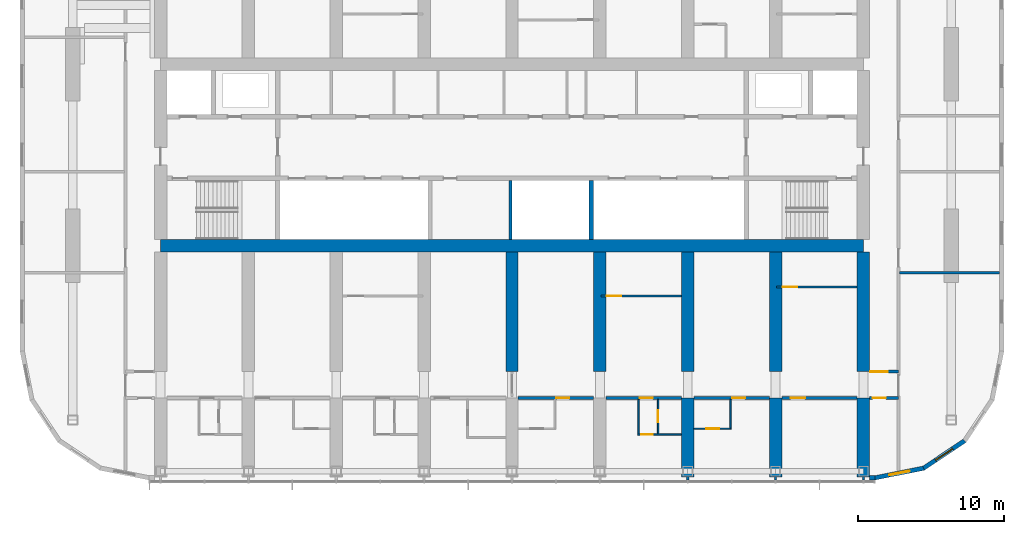
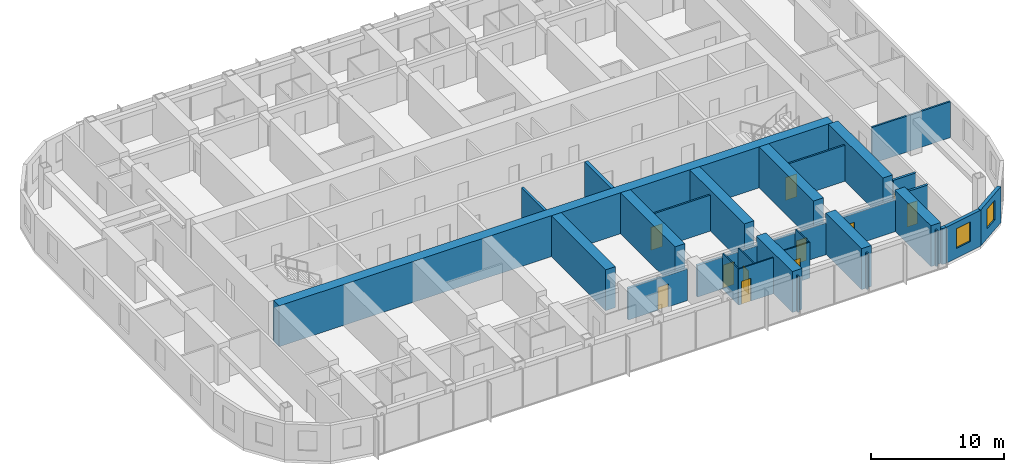
# One storey, part 12 of 22: 31 walls, 11 doors, 2 windows, 13 openings.
"""IFC4 building model written with IfcOpenShell, lengths in metres."""

import ifcopenshell
import ifcopenshell.guid

model = None  # the IFC model being written
_history = None  # IfcOwnerHistory: only IFC2X3 demands one
_inside = {}  # id of a spatial element -> (the spatial element, [elements in it])
_under = {}  # id of a project, library or spatial element -> (it, [spatial elements below it])
_declared = {}  # id of a project -> (the project, [libraries it declares])
_typed = {}  # id of a type object -> (the type object, [elements of that type])
_made_of = {}  # id of a material, layer set ... -> (it, [elements and type objects made of it])


def new_model(schema):
    """Start an empty IFC model of exactly this schema.

    Asked for "IFC4X3", IfcOpenShell would pick the latest addendum, in which some entities
    have other attributes; the version numbers below select the first issue.
    IFC2X3 requires an IfcOwnerHistory on every rooted entity: one is made here for all.
    """
    global model, _history
    if schema == "IFC4X3":
        model = ifcopenshell.file(schema_version=(4, 3, 0, 0))
    else:
        model = ifcopenshell.file(schema=schema)
    _inside.clear()
    _under.clear()
    _declared.clear()
    _typed.clear()
    _made_of.clear()
    _history = None
    if model.schema == "IFC2X3":
        org = make("IfcOrganization", Name="unknown")
        user = make(
            "IfcPersonAndOrganization",
            ThePerson=make("IfcPerson", FamilyName="unknown"),
            TheOrganization=org,
        )
        app = make(
            "IfcApplication",
            ApplicationDeveloper=org,
            Version="unknown",
            ApplicationFullName="unknown",
            ApplicationIdentifier="unknown",
        )
        _history = make(
            "IfcOwnerHistory",
            OwningUser=user,
            OwningApplication=app,
            ChangeAction="ADDED",
            CreationDate=0,
        )
    return model


def make(cls, **values):
    """One entity of the class cls with the attributes given. An attribute that is None is left unset."""
    return model.create_entity(
        cls, **{name: value for name, value in values.items() if value is not None}
    )


def rooted(cls, **values):
    """An entity with a GlobalId (a new one), such as an element, a storey or a relation."""
    return make(cls, GlobalId=ifcopenshell.guid.new(), OwnerHistory=_history, **values)


def si_unit(unit_type, name, prefix=None):
    """IfcSIUnit, for example si_unit("LENGTHUNIT", "METRE", prefix="MILLI")."""
    return make("IfcSIUnit", UnitType=unit_type, Prefix=prefix, Name=name)


def assignment(units):
    """IfcUnitAssignment: the units of a project."""
    return None if units is None else make("IfcUnitAssignment", Units=units)


def point(xyz):
    """IfcCartesianPoint."""
    return None if xyz is None else make("IfcCartesianPoint", Coordinates=xyz)


def direction(xyz):
    """IfcDirection."""
    return None if xyz is None else make("IfcDirection", DirectionRatios=xyz)


def frame(location, z_axis=None, x_axis=None):
    """IfcAxis2Placement3D, a coordinate frame: its origin and axes. An axis left out is left unset."""
    return make(
        "IfcAxis2Placement3D",
        Location=point(location),
        Axis=direction(z_axis),
        RefDirection=direction(x_axis),
    )


def frame_2d(location, x_axis=None):
    """IfcAxis2Placement2D, a coordinate frame in the plane: its origin and x axis."""
    return make(
        "IfcAxis2Placement2D", Location=point(location), RefDirection=direction(x_axis)
    )


def origin():
    """The frame at (0, 0, 0) with its axes left unset."""
    return frame((0.0, 0.0, 0.0))


def place(relative_to, where):
    """IfcLocalPlacement: puts the frame where relative to a parent placement (None: the world)."""
    return make(
        "IfcLocalPlacement", PlacementRelTo=relative_to, RelativePlacement=where
    )


def context(
    kind, dimensions, precision=None, world=None, true_north=None, identifier=None
):
    """IfcGeometricRepresentationContext, for example the 3D "Model" context."""
    return make(
        "IfcGeometricRepresentationContext",
        ContextIdentifier=identifier,
        ContextType=kind,
        CoordinateSpaceDimension=dimensions,
        Precision=precision,
        WorldCoordinateSystem=world,
        TrueNorth=true_north,
    )


def subcontext(parent, identifier, kind, view, scale=None):
    """IfcGeometricRepresentationSubContext, for example "Body" below "Model"."""
    return make(
        "IfcGeometricRepresentationSubContext",
        ContextIdentifier=identifier,
        ContextType=kind,
        ParentContext=parent,
        TargetScale=scale,
        TargetView=view,
    )


def project(units=None, contexts=None):
    """IfcProject with its units and contexts."""
    return rooted(
        "IfcProject",
        Name="project",
        RepresentationContexts=contexts,
        UnitsInContext=assignment(units),
    )


def spatial(cls, under=None, at=None, **own):
    """A site, building, storey or space (cls), placed at a placement, below another one or the project."""
    s = rooted(cls, ObjectPlacement=at, **own)
    if under is not None:
        _under.setdefault(under.id(), (under, []))[1].append(s)
    return s


def polyline(points):
    """IfcPolyline through the points."""
    return make("IfcPolyline", Points=[point(p) for p in points])


def profile(cls, at=None, kind="AREA", **sizes):
    """A parametric profile (cls). Its sizes go by their IFC names, for example OverallWidth=200.0."""
    return make(cls, ProfileType=kind, Position=at, **sizes)


def rectangle(**sizes):
    """IfcRectangleProfileDef."""
    return profile("IfcRectangleProfileDef", **sizes)


def outline(outer, holes=None, kind="AREA"):
    """IfcArbitraryClosedProfileDef: a profile drawn as a closed curve; with holes, ...WithVoids."""
    if holes is None:
        return make("IfcArbitraryClosedProfileDef", ProfileType=kind, OuterCurve=outer)
    return make(
        "IfcArbitraryProfileDefWithVoids",
        ProfileType=kind,
        OuterCurve=outer,
        InnerCurves=holes,
    )


def extrude(swept, where, along, depth):
    """IfcExtrudedAreaSolid: the profile swept, set in the frame where, extruded along a direction by depth."""
    return make(
        "IfcExtrudedAreaSolid",
        SweptArea=swept,
        Position=where,
        ExtrudedDirection=direction(along),
        Depth=depth,
    )


def shape(context_of_items, identifier, shape_type, items):
    """IfcShapeRepresentation: the items that make up one representation, for example the "Body"."""
    return make(
        "IfcShapeRepresentation",
        ContextOfItems=context_of_items,
        RepresentationIdentifier=identifier,
        RepresentationType=shape_type,
        Items=items,
    )


def material(Name=None, Category=None):
    """IfcMaterial."""
    return make("IfcMaterial", Name=Name, Category=Category)


def layer(
    of_material, thickness, ventilated=None, Name=None, Category=None, Priority=None
):
    """IfcMaterialLayer: one layer of a wall or slab, of a material (None: an air gap)."""
    return make(
        "IfcMaterialLayer",
        Material=of_material,
        LayerThickness=thickness,
        IsVentilated=ventilated,
        Name=Name,
        Category=Category,
        Priority=Priority,
    )


def layer_set(layers, Name=None):
    """IfcMaterialLayerSet."""
    return make("IfcMaterialLayerSet", MaterialLayers=layers, LayerSetName=Name)


def made_of(thing, what):
    """Note that an element or type object is made of a material, layer set ...; save() writes the relation."""
    if what is not None:
        _made_of.setdefault(what.id(), (what, []))[1].append(thing)
    return thing


def type_object(cls, material=None, **own):
    """A type object (cls), such as IfcWallType, which elements share."""
    return made_of(rooted(cls, **own), material)


def element(
    cls,
    number,
    at=None,
    inside=None,
    cuts=None,
    type_object=None,
    material=None,
    context=None,
    identifier="Body",
    shape_type=None,
    held_by="IfcProductDefinitionShape",
    body=None,
    shapes=None,
    **own,
):
    """One element of the class cls, such as IfcWall. Its Tag is "e" and its number.

    at: its placement. inside: the storey or other place that contains it. cuts: it is an
    opening in that element (IfcRelVoidsElement). A single representation is given by context,
    identifier, shape_type and body (its items); several are given by shapes. held_by: the class
    of the entity that holds the representations. save() writes the other relations.
    """
    e = rooted(cls, Tag="e%d" % number, ObjectPlacement=at, **own)
    if body is not None:
        shapes = [shape(context, identifier, shape_type, body)]
    if shapes is not None:
        e.Representation = make(held_by, Representations=shapes)
    if inside is not None:
        _inside.setdefault(inside.id(), (inside, []))[1].append(e)
    if cuts is not None:
        rooted(
            "IfcRelVoidsElement", RelatingBuildingElement=cuts, RelatedOpeningElement=e
        )
    if type_object is not None:
        _typed.setdefault(type_object.id(), (type_object, []))[1].append(e)
    return made_of(e, material)


def fill(opening, filler):
    """IfcRelFillsElement: the door or window that sits in an opening."""
    return rooted(
        "IfcRelFillsElement",
        RelatingOpeningElement=opening,
        RelatedBuildingElement=filler,
    )


def aggregate(whole, parts):
    """IfcRelAggregates: a whole, such as a stair, and the parts it consists of."""
    return rooted("IfcRelAggregates", RelatingObject=whole, RelatedObjects=parts)


def save(model, path):
    """Write the relations noted so far, then the file.

    IfcRelAggregates (storeys below a building ...), IfcRelContainedInSpatialStructure (elements
    in a storey), IfcRelDefinesByType, IfcRelAssociatesMaterial and IfcRelDeclares: one each for
    every whole, place, type object, material and project.
    """
    for whole, parts in _under.values():
        aggregate(whole, parts)
    for where, things in _inside.values():
        rooted(
            "IfcRelContainedInSpatialStructure",
            RelatedElements=things,
            RelatingStructure=where,
        )
    for kind, things in _typed.values():
        rooted("IfcRelDefinesByType", RelatedObjects=things, RelatingType=kind)
    for what, things in _made_of.values():
        rooted("IfcRelAssociatesMaterial", RelatedObjects=things, RelatingMaterial=what)
    for by, libraries in _declared.values():
        rooted("IfcRelDeclares", RelatingContext=by, RelatedDefinitions=libraries)
    model.write(path)


model = new_model("IFC4")

# Units and contexts
model_context = context("Model", 3, precision=1e-05, world=origin(), true_north=direction((0.0, 1.0)))
body_context = subcontext(model_context, "Body", "Model", "MODEL_VIEW")
ifc_project = project(units=[si_unit("LENGTHUNIT", "METRE"), si_unit("AREAUNIT", "SQUARE_METRE"), si_unit("VOLUMEUNIT", "CUBIC_METRE"), si_unit("PLANEANGLEUNIT", "RADIAN"), si_unit("MASSUNIT", "GRAM", prefix="KILO")], contexts=[model_context])

# Site, building, storey
site_placement = place(None, origin())
site = spatial("IfcSite", under=ifc_project, at=site_placement, CompositionType="ELEMENT")
building_placement = place(site_placement, origin())
building = spatial("IfcBuilding", under=site, at=building_placement, Name="Orbita Commons", CompositionType="ELEMENT")
storey_placement = place(building_placement, frame((0.0, 0.0, 159.85009765625)))
storey = spatial("IfcBuildingStorey", under=building, at=storey_placement, Name="L39", CompositionType="ELEMENT", Elevation=159.85009765625)

# Walls
ifc_material_1 = material(Name="Concrete C50/60", Category="concrete")
ifc_layer_1 = layer(ifc_material_1, 0.300048828125)
ifc_layer_set_1 = layer_set([ifc_layer_1], Name="Concrete C50/60")
wall_type_1 = type_object("IfcWallType", Name="Core inner wall 300 C50/60", PredefinedType="SHEAR", material=ifc_layer_set_1)
wall_1_placement = place(storey_placement, frame((47.39990234375, 26.22509765625, 0.0), z_axis=(0.0, 0.0, 1.0), x_axis=(0.0, 1.0, 0.0)))
element("IfcWall", 1, at=wall_1_placement, inside=storey, type_object=wall_type_1, Name="Hoistway division wall L39", PredefinedType="SHEAR", context=body_context, shape_type="SweptSolid", body=[
    extrude(rectangle(XDim=4.02490234375, YDim=0.300048828125, at=frame_2d((2.012451171875, 0.0))), origin(), (0.0, 0.0, 1.0), 3.75),
])
ifc_material_2 = material(Name="Concrete C50/60", Category="concrete")
ifc_layer_2 = layer(ifc_material_2, 0.85009765625)
ifc_layer_set_2 = layer_set([ifc_layer_2], Name="Concrete C50/60")
wall_type_2 = type_object("IfcWallType", Name="Core wall 850 C50/60", PredefinedType="SHEAR", material=ifc_layer_set_2)
wall_2_placement = place(storey_placement, frame((18.0, 25.800048828125, 0.0), z_axis=(0.0, 0.0, 1.0), x_axis=(1.0, 0.0, 0.0)))
element("IfcWall", 2, at=wall_2_placement, inside=storey, type_object=wall_type_2, Name="Core spine wall south L39", PredefinedType="SHEAR", context=body_context, shape_type="SweptSolid", body=[
    extrude(rectangle(XDim=48.0, YDim=0.85009765625, at=frame_2d((24.0, 0.0))), origin(), (0.0, 0.0, 1.0), 3.75),
])

# Wall, opening, door
ifc_material_3 = material(Name="Concrete blockwork", Category="masonry")
ifc_layer_3 = layer(ifc_material_3, 0.199951171875)
ifc_layer_set_3 = layer_set([ifc_layer_3], Name="Concrete blockwork")
wall_type_3 = type_object("IfcWallType", Name="Corridor wall 200 blockwork", PredefinedType="SOLIDWALL", material=ifc_layer_set_3)
wall_3_placement = place(storey_placement, frame((42.425048828125, 15.39990234375, 0.0), z_axis=(0.0, 0.0, 1.0), x_axis=(1.0, 0.0, 0.0)))
wall_3 = element("IfcWall", 3, at=wall_3_placement, inside=storey, type_object=wall_type_3, Name="Corridor wall 200 blockwork L39", PredefinedType="SOLIDWALL", context=body_context, shape_type="SweptSolid", body=[
    extrude(outline(polyline([(0.0, 0.0), (5.14990234375, 0.0), (5.14990234375, 2.89990234375), (0.0, 2.89990234375), (0.0, 0.0)])), frame((0.0, 0.10009765625, 0.0), z_axis=(0.0, -1.0, 0.0), x_axis=(1.0, 0.0, 0.0)), (0.0, 0.0, 1.0), 0.199951171875),
])
opening_1_placement = place(wall_3_placement, frame((2.60009765625, 0.0, 0.0)))
opening_1 = element("IfcOpeningElement", 4, at=opening_1_placement, cuts=wall_3, Name="Opening D11", PredefinedType="OPENING", context=body_context, shape_type="SweptSolid", body=[
    extrude(rectangle(XDim=0.89990234375, YDim=2.10009765625, at=frame_2d((0.449951171875, 1.050048828125))), frame((0.0, 0.10986328125, 0.0), z_axis=(0.0, -1.0, 0.0), x_axis=(1.0, 0.0, 0.0)), (0.0, 0.0, 1.0), 0.219970703125),
])
ifc_material_4 = material(Name="Steel-faced fire door leaf", Category="steel")
door_type_1 = type_object("IfcDoorType", Name="Corridor door 20 min 900x2100", OperationType="SINGLE_SWING_LEFT", PredefinedType="DOOR", material=ifc_material_4)
door_1_placement = place(opening_1_placement, origin())
door_1 = element("IfcDoor", 5, at=door_1_placement, inside=storey, type_object=door_type_1, Name="Twin room L39-S08 door", OperationType="SINGLE_SWING_LEFT", OverallHeight=2.10009765625, OverallWidth=0.89990234375, PredefinedType="DOOR", context=body_context, shape_type="SweptSolid", body=[
    extrude(rectangle(XDim=0.89990234375, YDim=2.10009765625, at=frame_2d((0.449951171875, 1.050048828125))), frame((0.0, 0.02490234375, 0.0), z_axis=(0.0, -1.0, 0.0), x_axis=(1.0, 0.0, 0.0)), (0.0, 0.0, 1.0), 0.050048828125),
])
fill(opening_1, door_1)

wall_4_placement = place(storey_placement, frame((48.425048828125, 15.39990234375, 0.0), z_axis=(0.0, 0.0, 1.0), x_axis=(1.0, 0.0, 0.0)))
wall_4 = element("IfcWall", 6, at=wall_4_placement, inside=storey, type_object=wall_type_3, Name="Corridor wall 200 blockwork L39", PredefinedType="SOLIDWALL", context=body_context, shape_type="SweptSolid", body=[
    extrude(outline(polyline([(0.0, 0.0), (5.14990234375, 0.0), (5.14990234375, 2.89990234375), (0.0, 2.89990234375), (0.0, 0.0)])), frame((0.0, 0.10009765625, 0.0), z_axis=(0.0, -1.0, 0.0), x_axis=(1.0, 0.0, 0.0)), (0.0, 0.0, 1.0), 0.199951171875),
])
opening_2_placement = place(wall_4_placement, frame((2.300048828125, 0.0, 0.0)))
opening_2 = element("IfcOpeningElement", 7, at=opening_2_placement, cuts=wall_4, Name="Opening D11", PredefinedType="OPENING", context=body_context, shape_type="SweptSolid", body=[
    extrude(rectangle(XDim=0.89990234375, YDim=2.10009765625, at=frame_2d((0.449951171875, 1.050048828125))), frame((0.0, 0.10986328125, 0.0), z_axis=(0.0, -1.0, 0.0), x_axis=(1.0, 0.0, 0.0)), (0.0, 0.0, 1.0), 0.219970703125),
])
door_2_placement = place(opening_2_placement, origin())
door_2 = element("IfcDoor", 8, at=door_2_placement, inside=storey, type_object=door_type_1, Name="Studio flat L39-S10 entrance door", OperationType="SINGLE_SWING_LEFT", OverallHeight=2.10009765625, OverallWidth=0.89990234375, PredefinedType="DOOR", context=body_context, shape_type="SweptSolid", body=[
    extrude(rectangle(XDim=0.89990234375, YDim=2.10009765625, at=frame_2d((0.449951171875, 1.050048828125))), frame((0.0, 0.02490234375, 0.0), z_axis=(0.0, -1.0, 0.0), x_axis=(1.0, 0.0, 0.0)), (0.0, 0.0, 1.0), 0.050048828125),
])
fill(opening_2, door_2)

wall_5_placement = place(storey_placement, frame((54.425048828125, 15.39990234375, 0.0), z_axis=(0.0, 0.0, 1.0), x_axis=(1.0, 0.0, 0.0)))
wall_5 = element("IfcWall", 9, at=wall_5_placement, inside=storey, type_object=wall_type_3, Name="Corridor wall 200 blockwork L39", PredefinedType="SOLIDWALL", context=body_context, shape_type="SweptSolid", body=[
    extrude(outline(polyline([(0.0, 0.0), (5.14990234375, 0.0), (5.14990234375, 2.89990234375), (0.0, 2.89990234375), (0.0, 0.0)])), frame((0.0, 0.10009765625, 0.0), z_axis=(0.0, -1.0, 0.0), x_axis=(1.0, 0.0, 0.0)), (0.0, 0.0, 1.0), 0.199951171875),
])
opening_3_placement = place(wall_5_placement, frame((2.60009765625, 0.0, 0.0)))
opening_3 = element("IfcOpeningElement", 10, at=opening_3_placement, cuts=wall_5, Name="Opening D11", PredefinedType="OPENING", context=body_context, shape_type="SweptSolid", body=[
    extrude(rectangle(XDim=0.89990234375, YDim=2.10009765625, at=frame_2d((0.449951171875, 1.050048828125))), frame((0.0, 0.10986328125, 0.0), z_axis=(0.0, -1.0, 0.0), x_axis=(1.0, 0.0, 0.0)), (0.0, 0.0, 1.0), 0.219970703125),
])
door_3_placement = place(opening_3_placement, origin())
door_3 = element("IfcDoor", 11, at=door_3_placement, inside=storey, type_object=door_type_1, Name="Twin room L39-S12 door", OperationType="SINGLE_SWING_LEFT", OverallHeight=2.10009765625, OverallWidth=0.89990234375, PredefinedType="DOOR", context=body_context, shape_type="SweptSolid", body=[
    extrude(rectangle(XDim=0.89990234375, YDim=2.10009765625, at=frame_2d((0.449951171875, 1.050048828125))), frame((0.0, 0.02490234375, 0.0), z_axis=(0.0, -1.0, 0.0), x_axis=(1.0, 0.0, 0.0)), (0.0, 0.0, 1.0), 0.050048828125),
])
fill(opening_3, door_3)

wall_6_placement = place(storey_placement, frame((60.425048828125, 15.39990234375, 0.0), z_axis=(0.0, 0.0, 1.0), x_axis=(1.0, 0.0, 0.0)))
wall_6 = element("IfcWall", 12, at=wall_6_placement, inside=storey, type_object=wall_type_3, Name="Corridor wall 200 blockwork L39", PredefinedType="SOLIDWALL", context=body_context, shape_type="SweptSolid", body=[
    extrude(outline(polyline([(0.0, 0.0), (5.14990234375, 0.0), (5.14990234375, 2.89990234375), (0.0, 2.89990234375), (0.0, 0.0)])), frame((0.0, 0.10009765625, 0.0), z_axis=(0.0, -1.0, 0.0), x_axis=(1.0, 0.0, 0.0)), (0.0, 0.0, 1.0), 0.199951171875),
])
opening_4_placement = place(wall_6_placement, frame((0.60009765625, 0.0, 0.0)))
opening_4 = element("IfcOpeningElement", 13, at=opening_4_placement, cuts=wall_6, Name="Opening D06", PredefinedType="OPENING", context=body_context, shape_type="SweptSolid", body=[
    extrude(rectangle(XDim=1.0, YDim=2.10009765625, at=frame_2d((0.5, 1.050048828125))), frame((0.0, 0.10986328125, 0.0), z_axis=(0.0, -1.0, 0.0), x_axis=(1.0, 0.0, 0.0)), (0.0, 0.0, 1.0), 0.219970703125),
])
ifc_material_5 = material(Name="Steel-faced fire door leaf", Category="steel")
door_type_2 = type_object("IfcDoorType", Name="Corridor door 20 min 1000x2100", OperationType="SINGLE_SWING_LEFT", PredefinedType="DOOR", material=ifc_material_5)
door_4_placement = place(opening_4_placement, origin())
door_4 = element("IfcDoor", 14, at=door_4_placement, inside=storey, type_object=door_type_2, Name="Cluster kitchen-diner L39-S14 door", OperationType="SINGLE_SWING_LEFT", OverallHeight=2.10009765625, OverallWidth=1.0, PredefinedType="DOOR", context=body_context, shape_type="SweptSolid", body=[
    extrude(rectangle(XDim=1.0, YDim=2.10009765625, at=frame_2d((0.5, 1.050048828125))), frame((0.0, 0.02490234375, 0.0), z_axis=(0.0, -1.0, 0.0), x_axis=(1.0, 0.0, 0.0)), (0.0, 0.0, 1.0), 0.050048828125),
])
fill(opening_4, door_4)

wall_7_placement = place(storey_placement, frame((66.425048828125, 15.39990234375, 0.0), z_axis=(0.0, 0.0, 1.0), x_axis=(1.0, 0.0, 0.0)))
wall_7 = element("IfcWall", 15, at=wall_7_placement, inside=storey, type_object=wall_type_3, Name="Corridor wall 200 blockwork L39", PredefinedType="SOLIDWALL", context=body_context, shape_type="SweptSolid", body=[
    extrude(rectangle(XDim=1.974853515625, YDim=0.199951171875, at=frame_2d((0.9873046875, 0.0))), origin(), (0.0, 0.0, 1.0), 3.2998046875),
])
opening_5_placement = place(wall_7_placement, frame((0.199951171875, 0.0, 0.0)))
opening_5 = element("IfcOpeningElement", 16, at=opening_5_placement, cuts=wall_7, Name="Opening D05", PredefinedType="OPENING", context=body_context, shape_type="SweptSolid", body=[
    extrude(rectangle(XDim=0.89990234375, YDim=2.10009765625, at=frame_2d((0.449951171875, 1.050048828125))), frame((0.0, 0.10986328125, 0.0), z_axis=(0.0, -1.0, 0.0), x_axis=(1.0, 0.0, 0.0)), (0.0, 0.0, 1.0), 0.219970703125),
])
ifc_material_6 = material(Name="Steel-faced fire door leaf", Category="steel")
door_type_3 = type_object("IfcDoorType", Name="Service door 20 min 900x2100", OperationType="SINGLE_SWING_LEFT", PredefinedType="DOOR", material=ifc_material_6)
door_5_placement = place(opening_5_placement, origin())
door_5 = element("IfcDoor", 17, at=door_5_placement, inside=storey, type_object=door_type_3, Name="Linen store L39-KES door", OperationType="SINGLE_SWING_LEFT", OverallHeight=2.10009765625, OverallWidth=0.89990234375, PredefinedType="DOOR", context=body_context, shape_type="SweptSolid", body=[
    extrude(rectangle(XDim=0.89990234375, YDim=2.10009765625, at=frame_2d((0.449951171875, 1.050048828125))), frame((0.0, 0.02490234375, 0.0), z_axis=(0.0, -1.0, 0.0), x_axis=(1.0, 0.0, 0.0)), (0.0, 0.0, 1.0), 0.050048828125),
])
fill(opening_5, door_5)

ifc_material_7 = material(Name="Hollow concrete block 200", Category="concrete")
ifc_layer_4 = layer(ifc_material_7, 0.199951171875)
ifc_layer_set_4 = layer_set([ifc_layer_4], Name="Hollow concrete block 200")
wall_type_4 = type_object("IfcWallType", Name="Corridor wall 200 hollow concrete block", PredefinedType="SOLIDWALL", material=ifc_layer_set_4)
wall_8_placement = place(storey_placement, frame((66.425048828125, 17.199951171875, 0.0), z_axis=(0.0, 0.0, 1.0), x_axis=(1.0, 0.0, 0.0)))
wall_8 = element("IfcWall", 18, at=wall_8_placement, inside=storey, type_object=wall_type_4, Name="Corridor wall 200 hollow concrete block L39", PredefinedType="SOLIDWALL", context=body_context, shape_type="SweptSolid", body=[
    extrude(rectangle(XDim=1.974853515625, YDim=0.199951171875, at=frame_2d((0.9873046875, 0.0))), origin(), (0.0, 0.0, 1.0), 3.2998046875),
])
opening_6_placement = place(wall_8_placement, frame((0.050048828125, 0.0, 0.0)))
opening_6 = element("IfcOpeningElement", 19, at=opening_6_placement, cuts=wall_8, Name="Opening D12", PredefinedType="OPENING", context=body_context, shape_type="SweptSolid", body=[
    extrude(rectangle(XDim=1.199951171875, YDim=2.10009765625, at=frame_2d((0.60009765625, 1.050048828125))), frame((0.0, 0.10986328125, 0.0), z_axis=(0.0, -1.0, 0.0), x_axis=(1.0, 0.0, 0.0)), (0.0, 0.0, 1.0), 0.219970703125),
])
ifc_material_8 = material(Name="Steel-faced fire door leaf", Category="steel")
door_type_4 = type_object("IfcDoorType", Name="Double corridor door 20 min 1200x2100", OperationType="DOUBLE_DOOR_SINGLE_SWING", PredefinedType="DOOR", material=ifc_material_8)
door_6_placement = place(opening_6_placement, origin())
door_6 = element("IfcDoor", 20, at=door_6_placement, inside=storey, type_object=door_type_4, Name="Cross corridor doors", OperationType="DOUBLE_DOOR_SINGLE_SWING", OverallHeight=2.10009765625, OverallWidth=1.199951171875, PredefinedType="DOOR", context=body_context, shape_type="SweptSolid", body=[
    extrude(rectangle(XDim=1.199951171875, YDim=2.10009765625, at=frame_2d((0.60009765625, 1.050048828125))), frame((0.0, 0.02490234375, 0.0), z_axis=(0.0, -1.0, 0.0), x_axis=(1.0, 0.0, 0.0)), (0.0, 0.0, 1.0), 0.050048828125),
])
fill(opening_6, door_6)

# Walls
ifc_material_9 = material(Name="Concrete C50/60", Category="concrete")
ifc_layer_5 = layer(ifc_material_9, 0.85009765625)
ifc_layer_set_5 = layer_set([ifc_layer_5], Name="Concrete C50/60")
wall_type_5 = type_object("IfcWallType", Name="Cross wall 850 C50/60", PredefinedType="SHEAR", material=ifc_layer_set_5)
for number, where, z_axis, x_axis, name in (
    (21, (42.0, 17.199951171875, 0.0), (0.0, 0.0, 1.0), (0.0, 1.0, 0.0), "Cross wall 8 south inner L39"),
    (22, (48.0, 17.199951171875, 0.0), (0.0, 0.0, 1.0), (0.0, 1.0, 0.0), "Cross wall 9 south inner L39"),
):
    element("IfcWall", number, at=place(storey_placement, frame(where, z_axis=z_axis, x_axis=x_axis)), inside=storey, type_object=wall_type_5, Name=name, PredefinedType="SHEAR", context=body_context, shape_type="SweptSolid", body=[
        extrude(rectangle(XDim=8.175048828125, YDim=0.85009765625, at=frame_2d((4.08740234375, 0.0))), origin(), (0.0, 0.0, 1.0), 3.75),
    ])
wall_9_placement = place(storey_placement, frame((54.0, 10.0, 0.0), z_axis=(0.0, 0.0, 1.0), x_axis=(0.0, 1.0, 0.0)))
element("IfcWall", 23, at=wall_9_placement, inside=storey, type_object=wall_type_5, Name="Cross wall 10 south outer L39", PredefinedType="SHEAR", context=body_context, shape_type="SweptSolid", body=[
    extrude(rectangle(XDim=5.39990234375, YDim=0.85009765625, at=frame_2d((2.699951171875, 0.0))), origin(), (0.0, 0.0, 1.0), 3.75),
])
wall_10_placement = place(storey_placement, frame((54.0, 17.199951171875, 0.0), z_axis=(0.0, 0.0, 1.0), x_axis=(0.0, 1.0, 0.0)))
element("IfcWall", 24, at=wall_10_placement, inside=storey, type_object=wall_type_5, Name="Cross wall 10 south inner L39", PredefinedType="SHEAR", context=body_context, shape_type="SweptSolid", body=[
    extrude(rectangle(XDim=8.175048828125, YDim=0.85009765625, at=frame_2d((4.08740234375, 0.0))), origin(), (0.0, 0.0, 1.0), 3.75),
])
wall_11_placement = place(storey_placement, frame((60.0, 10.0, 0.0), z_axis=(0.0, 0.0, 1.0), x_axis=(0.0, 1.0, 0.0)))
element("IfcWall", 25, at=wall_11_placement, inside=storey, type_object=wall_type_5, Name="Cross wall 11 south outer L39", PredefinedType="SHEAR", context=body_context, shape_type="SweptSolid", body=[
    extrude(rectangle(XDim=5.39990234375, YDim=0.85009765625, at=frame_2d((2.699951171875, 0.0))), origin(), (0.0, 0.0, 1.0), 3.75),
])
wall_12_placement = place(storey_placement, frame((60.0, 17.199951171875, 0.0), z_axis=(0.0, 0.0, 1.0), x_axis=(0.0, 1.0, 0.0)))
element("IfcWall", 26, at=wall_12_placement, inside=storey, type_object=wall_type_5, Name="Cross wall 11 south inner L39", PredefinedType="SHEAR", context=body_context, shape_type="SweptSolid", body=[
    extrude(rectangle(XDim=8.175048828125, YDim=0.85009765625, at=frame_2d((4.08740234375, 0.0))), origin(), (0.0, 0.0, 1.0), 3.75),
])
wall_13_placement = place(storey_placement, frame((66.0, 10.0, 0.0), z_axis=(0.0, 0.0, 1.0), x_axis=(0.0, 1.0, 0.0)))
element("IfcWall", 27, at=wall_13_placement, inside=storey, type_object=wall_type_5, Name="Cross wall 12 south outer L39", PredefinedType="SHEAR", context=body_context, shape_type="SweptSolid", body=[
    extrude(rectangle(XDim=5.39990234375, YDim=0.85009765625, at=frame_2d((2.699951171875, 0.0))), origin(), (0.0, 0.0, 1.0), 3.75),
])
wall_14_placement = place(storey_placement, frame((66.0, 17.199951171875, 0.0), z_axis=(0.0, 0.0, 1.0), x_axis=(0.0, 1.0, 0.0)))
element("IfcWall", 28, at=wall_14_placement, inside=storey, type_object=wall_type_5, Name="Cross wall 12 south inner L39", PredefinedType="SHEAR", context=body_context, shape_type="SweptSolid", body=[
    extrude(rectangle(XDim=8.175048828125, YDim=0.85009765625, at=frame_2d((4.08740234375, 0.0))), origin(), (0.0, 0.0, 1.0), 3.75),
])

# Wall, opening, door
ifc_material_10 = material(Name="Moisture-resistant plasterboard on steel studs", Category="steel")
ifc_layer_6 = layer(ifc_material_10, 0.10009765625)
ifc_layer_set_6 = layer_set([ifc_layer_6], Name="Moisture-resistant plasterboard on steel studs")
wall_type_6 = type_object("IfcWallType", Name="En-suite partition 100", PredefinedType="PARTITIONING", material=ifc_layer_set_6)
wall_15_placement = place(storey_placement, frame((53.574951171875, 12.89990234375, 0.0), z_axis=(0.0, 0.0, 1.0), x_axis=(-1.0, 0.0, 0.0)))
wall_15 = element("IfcWall", 29, at=wall_15_placement, inside=storey, type_object=wall_type_6, Name="En-suite partition 100 L39", PredefinedType="PARTITIONING", context=body_context, shape_type="SweptSolid", body=[
    extrude(rectangle(XDim=3.0, YDim=0.10009765625, at=frame_2d((1.5, 0.0))), origin(), (0.0, 0.0, 1.0), 3.2998046875),
])
opening_7_placement = place(wall_15_placement, frame((1.949951171875, 0.0, 0.0)))
opening_7 = element("IfcOpeningElement", 30, at=opening_7_placement, cuts=wall_15, Name="Opening D16", PredefinedType="OPENING", context=body_context, shape_type="SweptSolid", body=[
    extrude(rectangle(XDim=0.800048828125, YDim=2.10009765625, at=frame_2d((0.39990234375, 1.050048828125))), frame((0.0, 0.06005859375, 0.0), z_axis=(0.0, -1.0, 0.0), x_axis=(1.0, 0.0, 0.0)), (0.0, 0.0, 1.0), 0.1201171875),
])
ifc_material_11 = material(Name="Laminated timber door leaf", Category="wood")
door_type_5 = type_object("IfcDoorType", Name="En-suite door 800x2100", OperationType="SINGLE_SWING_RIGHT", PredefinedType="DOOR", material=ifc_material_11)
door_7_placement = place(opening_7_placement, origin())
door_7 = element("IfcDoor", 31, at=door_7_placement, inside=storey, type_object=door_type_5, Name="Studio flat L39-S10 door", OperationType="SINGLE_SWING_RIGHT", OverallHeight=2.10009765625, OverallWidth=0.800048828125, PredefinedType="DOOR", context=body_context, shape_type="SweptSolid", body=[
    extrude(rectangle(XDim=0.800048828125, YDim=2.10009765625, at=frame_2d((0.39990234375, 1.050048828125))), frame((0.0, 0.02490234375, 0.0), z_axis=(0.0, -1.0, 0.0), x_axis=(1.0, 0.0, 0.0)), (0.0, 0.0, 1.0), 0.050048828125),
])
fill(opening_7, door_7)

# Wall
wall_16_placement = place(storey_placement, frame((50.625, 12.949951171875, 0.0), z_axis=(0.0, 0.0, 1.0), x_axis=(0.0, 1.0, 0.0)))
element("IfcWall", 32, at=wall_16_placement, inside=storey, type_object=wall_type_6, Name="En-suite partition 100 L39", PredefinedType="PARTITIONING", context=body_context, shape_type="SweptSolid", body=[
    extrude(outline(polyline([(0.0, 0.0), (2.35009765625, 0.0), (2.35009765625, 2.89990234375), (2.302001953125, 2.89990234375), (2.300048828125, 3.2998046875), (0.0, 3.2998046875), (0.0, 0.0)])), frame((0.0, 0.050048828125, 0.0), z_axis=(0.0, -1.0, 0.0), x_axis=(1.0, 0.0, 0.0)), (0.0, 0.0, 1.0), 0.10009765625),
])

# Wall, opening, door
wall_17_placement = place(storey_placement, frame((51.97509765625, 12.949951171875, 0.0), z_axis=(0.0, 0.0, 1.0), x_axis=(0.0, 1.0, 0.0)))
wall_17 = element("IfcWall", 33, at=wall_17_placement, inside=storey, type_object=wall_type_6, Name="En-suite partition 100 L39", PredefinedType="PARTITIONING", context=body_context, shape_type="SweptSolid", body=[
    extrude(outline(polyline([(0.0, 0.0), (2.35009765625, 0.0), (2.35009765625, 2.89990234375), (2.302001953125, 2.89990234375), (2.300048828125, 3.2998046875), (0.0, 3.2998046875), (0.0, 0.0)])), frame((0.0, 0.050048828125, 0.0), z_axis=(0.0, -1.0, 0.0), x_axis=(1.0, 0.0, 0.0)), (0.0, 0.0, 1.0), 0.10009765625),
])
opening_8_placement = place(wall_17_placement, frame((0.800048828125, 0.0, 0.0)))
opening_8 = element("IfcOpeningElement", 34, at=opening_8_placement, cuts=wall_17, Name="Opening D16", PredefinedType="OPENING", context=body_context, shape_type="SweptSolid", body=[
    extrude(rectangle(XDim=0.800048828125, YDim=2.10009765625, at=frame_2d((0.39990234375, 1.050048828125))), frame((0.0, 0.06005859375, 0.0), z_axis=(0.0, -1.0, 0.0), x_axis=(1.0, 0.0, 0.0)), (0.0, 0.0, 1.0), 0.1201171875),
])
door_8_placement = place(opening_8_placement, origin())
door_8 = element("IfcDoor", 35, at=door_8_placement, inside=storey, type_object=door_type_5, Name="Studio flat shower room L39-S10 door", OperationType="SINGLE_SWING_RIGHT", OverallHeight=2.10009765625, OverallWidth=0.800048828125, PredefinedType="DOOR", context=body_context, shape_type="SweptSolid", body=[
    extrude(rectangle(XDim=0.800048828125, YDim=2.10009765625, at=frame_2d((0.39990234375, 1.050048828125))), frame((0.0, 0.02490234375, 0.0), z_axis=(0.0, -1.0, 0.0), x_axis=(1.0, 0.0, 0.0)), (0.0, 0.0, 1.0), 0.050048828125),
])
fill(opening_8, door_8)

wall_18_placement = place(storey_placement, frame((56.97509765625, 13.300048828125, 0.0), z_axis=(0.0, 0.0, 1.0), x_axis=(-1.0, 0.0, 0.0)))
wall_18 = element("IfcWall", 36, at=wall_18_placement, inside=storey, type_object=wall_type_6, Name="En-suite partition 100 L39", PredefinedType="PARTITIONING", context=body_context, shape_type="SweptSolid", body=[
    extrude(rectangle(XDim=2.550048828125, YDim=0.10009765625, at=frame_2d((1.27490234375, 0.0))), origin(), (0.0, 0.0, 1.0), 3.2998046875),
])
opening_9_placement = place(wall_18_placement, frame((0.824951171875, 0.0, 0.0)))
opening_9 = element("IfcOpeningElement", 37, at=opening_9_placement, cuts=wall_18, Name="Opening D09", PredefinedType="OPENING", context=body_context, shape_type="SweptSolid", body=[
    extrude(rectangle(XDim=0.89990234375, YDim=2.10009765625, at=frame_2d((0.449951171875, 1.050048828125))), frame((0.0, 0.06005859375, 0.0), z_axis=(0.0, -1.0, 0.0), x_axis=(1.0, 0.0, 0.0)), (0.0, 0.0, 1.0), 0.1201171875),
])
ifc_material_12 = material(Name="Laminated timber door leaf", Category="wood")
door_type_6 = type_object("IfcDoorType", Name="En-suite door 900x2100", OperationType="SINGLE_SWING_RIGHT", PredefinedType="DOOR", material=ifc_material_12)
door_9_placement = place(opening_9_placement, origin())
door_9 = element("IfcDoor", 38, at=door_9_placement, inside=storey, type_object=door_type_6, Name="En-suite L39-S12 door", OperationType="SINGLE_SWING_RIGHT", OverallHeight=2.10009765625, OverallWidth=0.89990234375, PredefinedType="DOOR", context=body_context, shape_type="SweptSolid", body=[
    extrude(rectangle(XDim=0.89990234375, YDim=2.10009765625, at=frame_2d((0.449951171875, 1.050048828125))), frame((0.0, 0.02490234375, 0.0), z_axis=(0.0, -1.0, 0.0), x_axis=(1.0, 0.0, 0.0)), (0.0, 0.0, 1.0), 0.050048828125),
])
fill(opening_9, door_9)

# Wall
wall_19_placement = place(storey_placement, frame((56.925048828125, 13.35009765625, 0.0), z_axis=(0.0, 0.0, 1.0), x_axis=(0.0, 1.0, 0.0)))
element("IfcWall", 39, at=wall_19_placement, inside=storey, type_object=wall_type_6, Name="En-suite partition 100 L39", PredefinedType="PARTITIONING", context=body_context, shape_type="SweptSolid", body=[
    extrude(outline(polyline([(0.0, 0.0), (1.949951171875, 0.0), (1.949951171875, 2.89990234375), (1.902099609375, 2.89990234375), (1.89990234375, 3.2998046875), (0.0, 3.2998046875), (0.0, 0.0)])), frame((0.0, 0.050048828125, 0.0), z_axis=(0.0, -1.0, 0.0), x_axis=(1.0, 0.0, 0.0)), (0.0, 0.0, 1.0), 0.10009765625),
])

# Wall, opening, door
ifc_material_13 = material(Name="Gypsum plasterboard on steel studs", Category="steel")
ifc_layer_7 = layer(ifc_material_13, 0.14990234375)
ifc_layer_set_7 = layer_set([ifc_layer_7], Name="Gypsum plasterboard on steel studs")
wall_type_7 = type_object("IfcWallType", Name="Partition 150 plasterboard", PredefinedType="PARTITIONING", material=ifc_layer_set_7)
wall_20_placement = place(storey_placement, frame((48.074951171875, 22.375, 0.0), z_axis=(0.0, 0.0, 1.0), x_axis=(1.0, 0.0, 0.0)))
wall_20 = element("IfcWall", 40, at=wall_20_placement, inside=storey, type_object=wall_type_7, Name="Partition 150 plasterboard L39", PredefinedType="PARTITIONING", context=body_context, shape_type="SweptSolid", body=[
    extrude(rectangle(XDim=5.5, YDim=0.14990234375, at=frame_2d((2.75, 0.0))), origin(), (0.0, 0.0, 1.0), 3.2998046875),
])
opening_10_placement = place(wall_20_placement, frame((0.39990234375, 0.0, 0.0)))
opening_10 = element("IfcOpeningElement", 41, at=opening_10_placement, cuts=wall_20, Name="Opening D18", PredefinedType="OPENING", context=body_context, shape_type="SweptSolid", body=[
    extrude(rectangle(XDim=1.0, YDim=2.10009765625, at=frame_2d((0.5, 1.050048828125))), frame((0.0, 0.0849609375, 0.0), z_axis=(0.0, -1.0, 0.0), x_axis=(1.0, 0.0, 0.0)), (0.0, 0.0, 1.0), 0.169921875),
])
ifc_material_14 = material(Name="Steel-faced fire door leaf", Category="steel")
door_type_7 = type_object("IfcDoorType", Name="Service door 20 min 1000x2100", OperationType="SINGLE_SWING_LEFT", PredefinedType="DOOR", material=ifc_material_14)
door_10_placement = place(opening_10_placement, origin())
door_10 = element("IfcDoor", 42, at=door_10_placement, inside=storey, type_object=door_type_7, Name="Refuse and recycling room L39-BDS48 door", OperationType="SINGLE_SWING_LEFT", OverallHeight=2.10009765625, OverallWidth=1.0, PredefinedType="DOOR", context=body_context, shape_type="SweptSolid", body=[
    extrude(rectangle(XDim=1.0, YDim=2.10009765625, at=frame_2d((0.5, 1.050048828125))), frame((0.0, 0.02490234375, 0.0), z_axis=(0.0, -1.0, 0.0), x_axis=(1.0, 0.0, 0.0)), (0.0, 0.0, 1.0), 0.050048828125),
])
fill(opening_10, door_10)

wall_21_placement = place(storey_placement, frame((60.074951171875, 22.97509765625, 0.0), z_axis=(0.0, 0.0, 1.0), x_axis=(1.0, 0.0, 0.0)))
wall_21 = element("IfcWall", 43, at=wall_21_placement, inside=storey, type_object=wall_type_7, Name="Partition 150 plasterboard L39", PredefinedType="PARTITIONING", context=body_context, shape_type="SweptSolid", body=[
    extrude(rectangle(XDim=5.5, YDim=0.14990234375, at=frame_2d((2.75, 0.0))), origin(), (0.0, 0.0, 1.0), 3.2998046875),
])
opening_11_placement = place(wall_21_placement, frame((0.39990234375, 0.0, 0.0)))
opening_11 = element("IfcOpeningElement", 44, at=opening_11_placement, cuts=wall_21, Name="Opening D18", PredefinedType="OPENING", context=body_context, shape_type="SweptSolid", body=[
    extrude(rectangle(XDim=1.0, YDim=2.10009765625, at=frame_2d((0.5, 1.050048828125))), frame((0.0, 0.0849609375, 0.0), z_axis=(0.0, -1.0, 0.0), x_axis=(1.0, 0.0, 0.0)), (0.0, 0.0, 1.0), 0.169921875),
])
door_11_placement = place(opening_11_placement, origin())
door_11 = element("IfcDoor", 45, at=door_11_placement, inside=storey, type_object=door_type_7, Name="Cleaners store L39-BDS60 door", OperationType="SINGLE_SWING_LEFT", OverallHeight=2.10009765625, OverallWidth=1.0, PredefinedType="DOOR", context=body_context, shape_type="SweptSolid", body=[
    extrude(rectangle(XDim=1.0, YDim=2.10009765625, at=frame_2d((0.5, 1.050048828125))), frame((0.0, 0.02490234375, 0.0), z_axis=(0.0, -1.0, 0.0), x_axis=(1.0, 0.0, 0.0)), (0.0, 0.0, 1.0), 0.050048828125),
])
fill(opening_11, door_11)

# Walls
wall_22_placement = place(storey_placement, frame((68.47509765625, 23.9599609375, 0.0), z_axis=(0.0, 0.0, 1.0), x_axis=(1.0, 0.0, 0.0)))
element("IfcWall", 46, at=wall_22_placement, inside=storey, type_object=wall_type_7, Name="Partition 150 plasterboard L39", PredefinedType="PARTITIONING", context=body_context, shape_type="SweptSolid", body=[
    extrude(rectangle(XDim=6.81982421875, YDim=0.14990234375, at=frame_2d((3.409912109375, 0.0))), origin(), (0.0, 0.0, 1.0), 3.2998046875),
])
for number, where, z_axis, x_axis, name in (
    (47, (54.0, 10.050048828125, 0.0), (0.0, 0.0, 1.0), (0.0, -1.0, 0.0), "Partition 150 plasterboard L39"),
    (48, (60.0, 10.050048828125, 0.0), (0.0, 0.0, 1.0), (0.0, -1.0, 0.0), "Partition 150 plasterboard L39"),
    (49, (66.0, 10.050048828125, 0.0), (0.0, 0.0, 1.0), (0.0, -1.0, 0.0), "Partition 150 plasterboard L39"),
):
    element("IfcWall", number, at=place(storey_placement, frame(where, z_axis=z_axis, x_axis=x_axis)), inside=storey, type_object=wall_type_7, Name=name, PredefinedType="PARTITIONING", context=body_context, shape_type="SweptSolid", body=[
        extrude(rectangle(XDim=0.239990234375, YDim=0.14990234375, at=frame_2d((0.1201171875, 0.0))), origin(), (0.0, 0.0, 1.0), 3.2998046875),
    ])

# Wall, opening, window
ifc_material_15 = material(Name="Precast concrete C40/50, white board-marked finish", Category="concrete")
ifc_layer_8 = layer(ifc_material_15, 0.300048828125)
ifc_layer_set_8 = layer_set([ifc_layer_8], Name="Precast concrete C40/50, white board-marked finish")
wall_type_8 = type_object("IfcWallType", Name="Precast concrete end shield 300", PredefinedType="SOLIDWALL", material=ifc_layer_set_8)
wall_23_placement = place(storey_placement, frame((66.800048828125, 9.949951171875, 0.0), z_axis=(0.0, 0.0, 1.0), x_axis=(0.98078325777, 0.195100490205, 0.0)))
wall_23 = element("IfcWall", 50, at=wall_23_placement, inside=storey, type_object=wall_type_8, Name="End shield SE chord 1 L39", PredefinedType="SOLIDWALL", context=body_context, shape_type="SweptSolid", body=[
    extrude(outline(polyline([(-0.02978515625, -0.14990234375), (3.40478515625, -0.14990234375), (3.34521484375, 0.14990234375), (0.02978515625, 0.14990234375), (-0.02978515625, -0.14990234375)])), origin(), (0.0, 0.0, 1.0), 3.2998046875),
])
opening_12_placement = place(wall_23_placement, frame((0.987548828125, 0.0, 0.89990234375)))
opening_12 = element("IfcOpeningElement", 51, at=opening_12_placement, cuts=wall_23, Name="Opening W02", PredefinedType="OPENING", context=body_context, shape_type="SweptSolid", body=[
    extrude(rectangle(XDim=1.39990234375, YDim=1.800048828125, at=frame_2d((0.699951171875, 0.89990234375))), frame((0.0, 0.159912109375, 0.0), z_axis=(0.0, -1.0, 0.0), x_axis=(1.0, 0.0, 0.0)), (0.0, 0.0, 1.0), 0.320068359375),
])
ifc_material_16 = material(Name="Aluminium frame, clear double glazing", Category="aluminium")
window_type = type_object("IfcWindowType", Name="Deep-set window 1400x1800", PartitioningType="SINGLE_PANEL", PredefinedType="WINDOW", material=ifc_material_16)
window_1_placement = place(opening_12_placement, origin())
window_1 = element("IfcWindow", 52, at=window_1_placement, inside=storey, type_object=window_type, Name="Window L39-SE0", OverallHeight=1.800048828125, OverallWidth=1.39990234375, PartitioningType="SINGLE_PANEL", PredefinedType="WINDOW", context=body_context, shape_type="SweptSolid", body=[
    extrude(rectangle(XDim=1.39990234375, YDim=1.800048828125, at=frame_2d((0.699951171875, 0.89990234375))), frame((0.0, 0.030029296875, 0.0), z_axis=(0.0, -1.0, 0.0), x_axis=(1.0, 0.0, 0.0)), (0.0, 0.0, 1.0), 0.06005859375),
])
fill(opening_12, window_1)

wall_24_placement = place(storey_placement, frame((70.110107421875, 10.6083984375, 0.0), z_axis=(0.0, 0.0, 1.0), x_axis=(0.831493450887, 0.555534554399, 0.0)))
wall_24 = element("IfcWall", 53, at=wall_24_placement, inside=storey, type_object=wall_type_8, Name="End shield SE chord 2 L39", PredefinedType="SOLIDWALL", context=body_context, shape_type="SweptSolid", body=[
    extrude(outline(polyline([(-0.02978515625, -0.14990234375), (3.405029296875, -0.14990234375), (3.345458984375, 0.14990234375), (0.02978515625, 0.14990234375), (-0.02978515625, -0.14990234375)])), origin(), (0.0, 0.0, 1.0), 3.2998046875),
])
opening_13_placement = place(wall_24_placement, frame((0.987548828125, 0.0, 0.89990234375)))
opening_13 = element("IfcOpeningElement", 54, at=opening_13_placement, cuts=wall_24, Name="Opening W02", PredefinedType="OPENING", context=body_context, shape_type="SweptSolid", body=[
    extrude(rectangle(XDim=1.39990234375, YDim=1.800048828125, at=frame_2d((0.699951171875, 0.89990234375))), frame((0.0, 0.159912109375, 0.0), z_axis=(0.0, -1.0, 0.0), x_axis=(1.0, 0.0, 0.0)), (0.0, 0.0, 1.0), 0.320068359375),
])
window_2_placement = place(opening_13_placement, origin())
window_2 = element("IfcWindow", 55, at=window_2_placement, inside=storey, type_object=window_type, Name="Window L39-SE1", OverallHeight=1.800048828125, OverallWidth=1.39990234375, PartitioningType="SINGLE_PANEL", PredefinedType="WINDOW", context=body_context, shape_type="SweptSolid", body=[
    extrude(rectangle(XDim=1.39990234375, YDim=1.800048828125, at=frame_2d((0.699951171875, 0.89990234375))), frame((0.0, 0.030029296875, 0.0), z_axis=(0.0, -1.0, 0.0), x_axis=(1.0, 0.0, 0.0)), (0.0, 0.0, 1.0), 0.06005859375),
])
fill(opening_13, window_2)

# Walls
wall_25_placement = place(storey_placement, frame((66.800048828125, 9.949951171875, 0.0), z_axis=(0.0, 0.0, 1.0), x_axis=(-1.0, 0.0, 0.0)))
element("IfcWall", 56, at=wall_25_placement, inside=storey, type_object=wall_type_8, Name="End shield SE closer L39", PredefinedType="SOLIDWALL", context=body_context, shape_type="SweptSolid", body=[
    extrude(rectangle(XDim=0.375, YDim=0.300048828125, at=frame_2d((0.1875, 0.0))), origin(), (0.0, 0.0, 1.0), 3.2998046875),
])
ifc_material_17 = material(Name="Concrete blockwork, fully filled", Category="masonry")
ifc_layer_9 = layer(ifc_material_17, 0.199951171875)
ifc_layer_set_9 = layer_set([ifc_layer_9], Name="Concrete blockwork, fully filled")
wall_type_9 = type_object("IfcWallType", Name="Shaft partition 200 blockwork", PredefinedType="SOLIDWALL", material=ifc_layer_set_9)
wall_26_placement = place(storey_placement, frame((41.89990234375, 26.22509765625, 0.0), z_axis=(0.0, 0.0, 1.0), x_axis=(0.0, 1.0, 0.0)))
element("IfcWall", 57, at=wall_26_placement, inside=storey, type_object=wall_type_9, Name="Shaft partition 200 blockwork L39", PredefinedType="SOLIDWALL", context=body_context, shape_type="SweptSolid", body=[
    extrude(rectangle(XDim=4.02490234375, YDim=0.199951171875, at=frame_2d((2.012451171875, 0.0))), origin(), (0.0, 0.0, 1.0), 3.2998046875),
])

save(model, "model.ifc")
